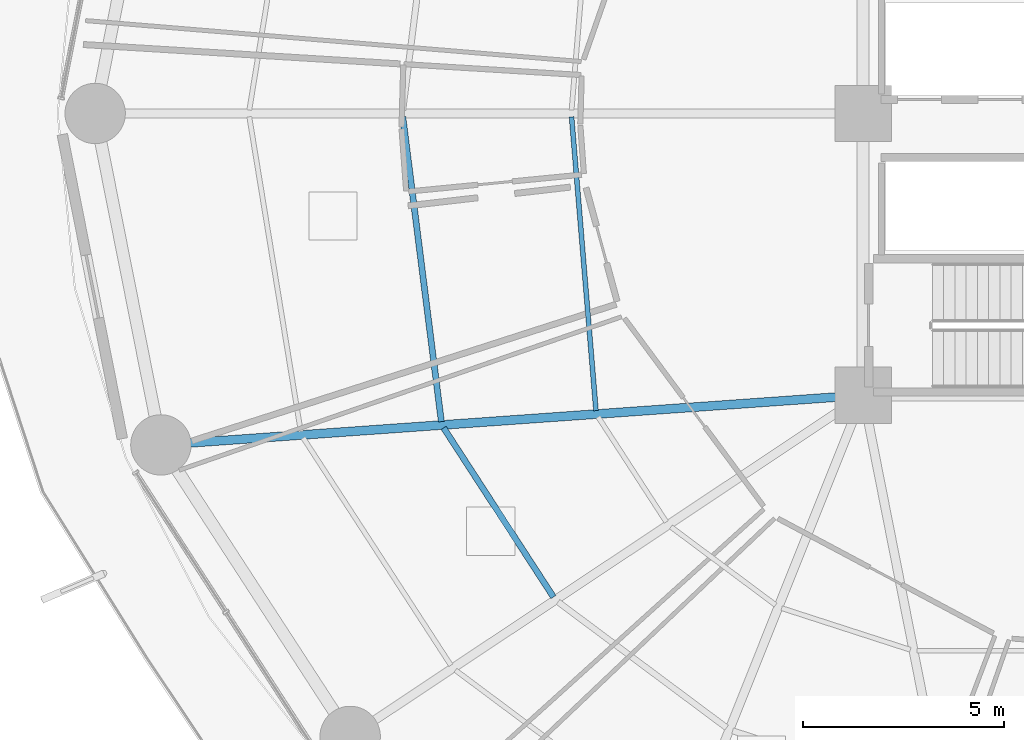
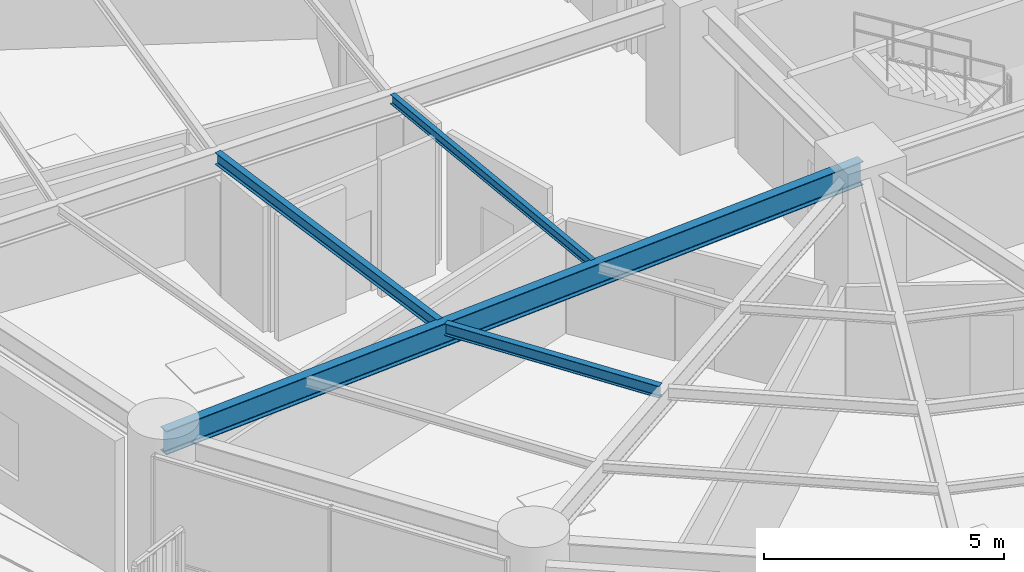
# One storey, part 5 of 31: 4 beams.
"""IFC4 building model written with IfcOpenShell, lengths in metres."""

from ifc_helpers import new_model, si_unit, direction, frame, origin, origin_2d, place, context, subcontext, project, spatial, i_section, extrude, material, material_profile, profile_set, type_object, element, save


model = new_model("IFC4")

# Units and contexts
model_context = context("Model", 3, precision=1e-05, world=origin(), true_north=direction((0.0, 1.0)))
body_context = subcontext(model_context, "Body", "Model", "MODEL_VIEW")
ifc_project = project(units=[si_unit("LENGTHUNIT", "METRE"), si_unit("AREAUNIT", "SQUARE_METRE"), si_unit("VOLUMEUNIT", "CUBIC_METRE"), si_unit("PLANEANGLEUNIT", "RADIAN"), si_unit("MASSUNIT", "GRAM", prefix="KILO")], contexts=[model_context])

# Site, building, storey
site_placement = place(None, origin())
site = spatial("IfcSite", under=ifc_project, at=site_placement, CompositionType="ELEMENT")
building_placement = place(site_placement, origin())
building = spatial("IfcBuilding", under=site, at=building_placement, Name="Kelanora Arch Commons", CompositionType="ELEMENT")
storey_placement = place(building_placement, frame((0.0, 0.0, 63.75)))
storey = spatial("IfcBuildingStorey", under=building, at=storey_placement, Name="L16", CompositionType="ELEMENT", Elevation=63.75)

# Beams
ifc_material = material(Name="Steel S355", Category="steel")
ifc_material_profile_1 = material_profile(ifc_material, i_section(OverallWidth=0.14990234375, OverallDepth=0.300048828125, WebThickness=0.007080078125, FlangeThickness=0.0107421875, FilletRadius=0.014892578125, at=origin_2d()), Name="IPE300")
ifc_profile_set_1 = profile_set([ifc_material_profile_1], Name="Steel S355")
beam_type_1 = type_object("IfcBeamType", Name="BM-JST-01", PredefinedType="JOIST", material=ifc_profile_set_1)
beam_1_placement = place(storey_placement, frame((54.562744140625, 57.915771484375, 3.340087890625), z_axis=(0.125565841651, -0.992085288375, 0.0), x_axis=(0.992085288375, 0.125565841651, 0.0)))
element("IfcBeam", 1, at=beam_1_placement, inside=storey, type_object=beam_type_1, Name="Secondary Chord Joist BJB-18 L16", PredefinedType="JOIST", context=body_context, shape_type="SweptSolid", body=[
    extrude(i_section(OverallWidth=0.14990234375, OverallDepth=0.300048828125, WebThickness=0.007080078125, FlangeThickness=0.0107421875, FilletRadius=0.014892578125, at=origin_2d()), origin(), (0.0, 0.0, 1.0), 7.63330078125),
])
beam_2_placement = place(storey_placement, frame((55.578125, 50.187255859375, 3.340087890625), z_axis=(0.544551588245, -0.838727350061, 0.0), x_axis=(0.838727350061, 0.544551588245, 0.0)))
element("IfcBeam", 2, at=beam_2_placement, inside=storey, type_object=beam_type_1, Name="Secondary Chord Joist BJB-20 L16", PredefinedType="JOIST", context=body_context, shape_type="SweptSolid", body=[
    extrude(i_section(OverallWidth=0.14990234375, OverallDepth=0.300048828125, WebThickness=0.007080078125, FlangeThickness=0.0107421875, FilletRadius=0.014892578125, at=origin_2d()), origin(), (0.0, 0.0, 1.0), 5.010986328125),
])
ifc_material_profile_2 = material_profile(ifc_material, i_section(OverallWidth=0.1201171875, OverallDepth=0.239990234375, WebThickness=0.006103515625, FlangeThickness=0.009765625, FilletRadius=0.014892578125, at=origin_2d()), Name="IPE240")
ifc_profile_set_2 = profile_set([ifc_material_profile_2], Name="Steel S355")
beam_type_2 = type_object("IfcBeamType", Name="BM-JST-02", PredefinedType="JOIST", material=ifc_profile_set_2)
beam_3_placement = place(storey_placement, frame((58.756591796875, 57.915283203125, 3.3701171875), z_axis=(0.082786209886, -0.996567330115, 0.0), x_axis=(0.996567330115, 0.082786209886, 0.0)))
element("IfcBeam", 3, at=beam_3_placement, inside=storey, type_object=beam_type_2, Name="Secondary Chord Joist BJA-18 L16", PredefinedType="JOIST", context=body_context, shape_type="SweptSolid", body=[
    extrude(i_section(OverallWidth=0.1201171875, OverallDepth=0.239990234375, WebThickness=0.006103515625, FlangeThickness=0.009765625, FilletRadius=0.014892578125, at=origin_2d()), origin(), (0.0, 0.0, 1.0), 7.325439453125),
])
ifc_material_profile_3 = material_profile(ifc_material, i_section(OverallWidth=0.219970703125, OverallDepth=0.60009765625, WebThickness=0.011962890625, FlangeThickness=0.01904296875, FilletRadius=0.02392578125, at=origin_2d()), Name="IPE600")
ifc_profile_set_3 = profile_set([ifc_material_profile_3], Name="Steel S355")
beam_type_3 = type_object("IfcBeamType", Name="BM-RAD-Z1", PredefinedType="BEAM", material=ifc_profile_set_3)
beam_4_placement = place(storey_placement, frame((66.0, 51.0, 3.18994140625), z_axis=(-0.997500683472, -0.070656821848, 0.0), x_axis=(0.070656821848, -0.997500683472, 0.0)))
element("IfcBeam", 4, at=beam_4_placement, inside=storey, type_object=beam_type_3, Name="Radial Floor Girder BR-20 L16", PredefinedType="BEAM", context=body_context, shape_type="SweptSolid", body=[
    extrude(i_section(OverallWidth=0.219970703125, OverallDepth=0.60009765625, WebThickness=0.011962890625, FlangeThickness=0.01904296875, FilletRadius=0.02392578125, at=origin_2d()), origin(), (0.0, 0.0, 1.0), 17.49072265625),
])

save(model, "model.ifc")
